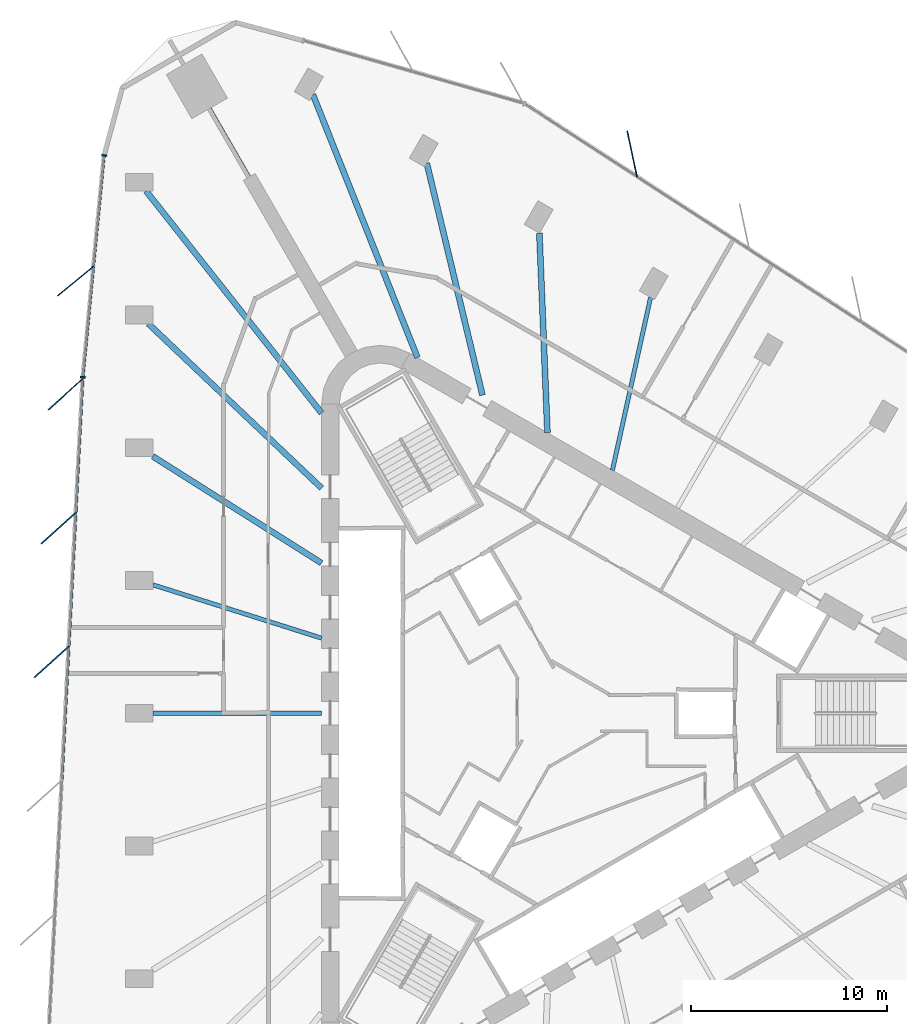
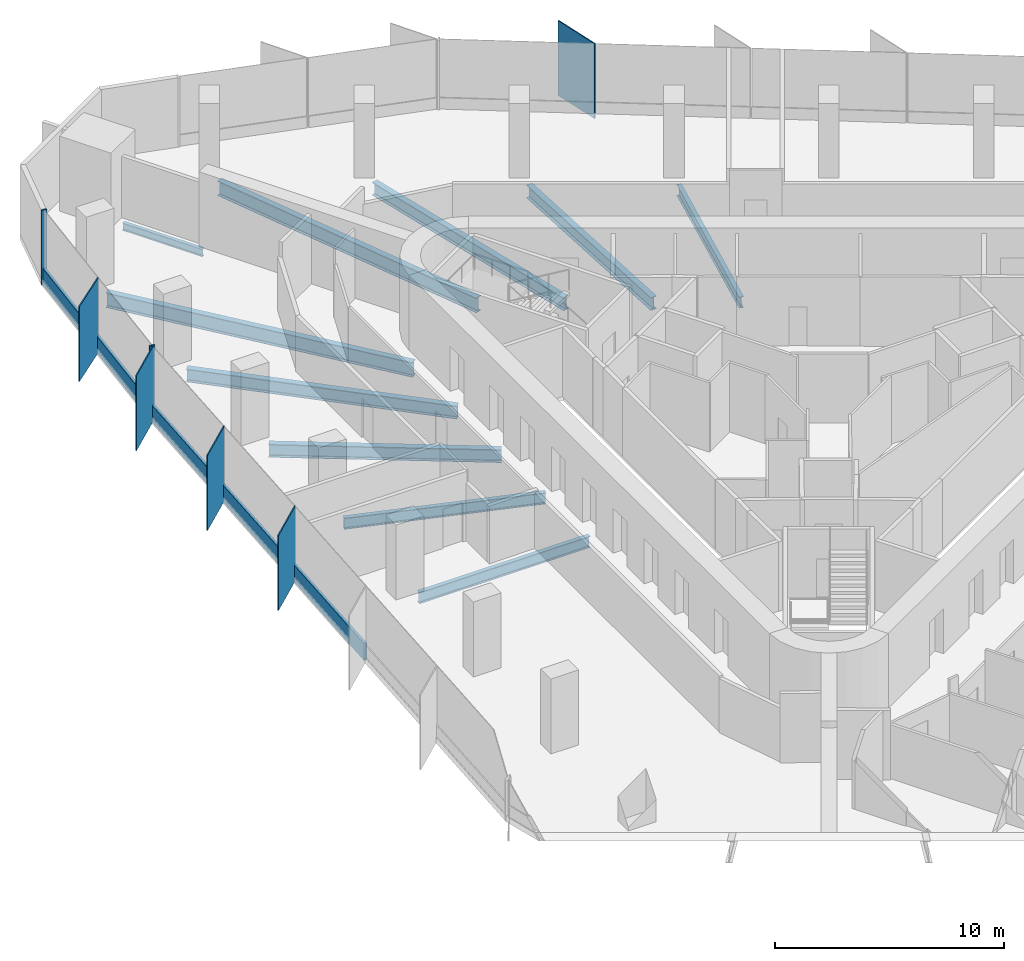
# One storey, part 4 of 14: 12 members, 10 beams, 3 elements without a shape of their own.
"""IFC4 building model written with IfcOpenShell, lengths in metres."""

from ifc_helpers import new_model, si_unit, direction, frame, origin, origin_2d, place, context, subcontext, project, spatial, rectangle, i_section, extrude, material, material_profile, profile_set, type_object, element, aggregate, save


model = new_model("IFC4")

# Units and contexts
model_context = context("Model", 3, precision=1e-05, world=origin(), true_north=direction((0.0, 1.0)))
body_context = subcontext(model_context, "Body", "Model", "MODEL_VIEW")
ifc_project = project(units=[si_unit("LENGTHUNIT", "METRE"), si_unit("AREAUNIT", "SQUARE_METRE"), si_unit("VOLUMEUNIT", "CUBIC_METRE"), si_unit("PLANEANGLEUNIT", "RADIAN"), si_unit("MASSUNIT", "GRAM", prefix="KILO")], contexts=[model_context])

# Site, building, storey
site_placement = place(None, origin())
site = spatial("IfcSite", under=ifc_project, at=site_placement, CompositionType="ELEMENT")
building_placement = place(site_placement, origin())
building = spatial("IfcBuilding", under=site, at=building_placement, Name="Tanit Gate Tower", CompositionType="ELEMENT")
storey_placement = place(building_placement, frame((0.0, 0.0, 257.199951171875)))
storey = spatial("IfcBuildingStorey", under=building, at=storey_placement, Name="L58", CompositionType="ELEMENT", Elevation=257.199951171875)

# Curtain wall, member
ifc_material_1 = material(Name="Aluminium bronze anodised and glass", Category="aluminium")
curtain_wall_type = type_object("IfcCurtainWallType", Name="Curtain wall typical mid", PredefinedType="NOTDEFINED", material=ifc_material_1)
curtain_wall_1_placement = place(storey_placement, origin())
curtain_wall_1 = element("IfcCurtainWall", 1, at=curtain_wall_1_placement, inside=storey, type_object=curtain_wall_type, Name="Curtain wall L58 NE2", PredefinedType="NOTDEFINED")
ifc_material_2 = material(Name="Aluminium bronze anodised", Category="aluminium")
ifc_material_profile_1 = material_profile(ifc_material_2, rectangle(XDim=2.39990234375, YDim=0.055908203125, at=origin_2d()), Name="56x2400 bronze fin mullion")
ifc_profile_set_1 = profile_set([ifc_material_profile_1], Name="Aluminium bronze anodised")
member_type_1 = type_object("IfcMemberType", Name="FIN MULLION 56x2400 bronze", PredefinedType="MULLION", material=ifc_profile_set_1)
member_1_placement = place(storey_placement, frame((3.74072265625, 28.524658203125, -0.300048828125), z_axis=(0.0, 0.0, 1.0), x_axis=(0.208373118697, -0.978049407445, 0.0)))
member_1 = element("IfcMember", 2, at=member_1_placement, type_object=member_type_1, Name="Fin mullion L58 NE2.5", PredefinedType="MULLION", context=body_context, shape_type="SweptSolid", body=[
    extrude(rectangle(XDim=2.39990234375, YDim=0.055908203125, at=origin_2d()), origin(), (0.0, 0.0, 1.0), 4.0),
])
aggregate(curtain_wall_1, [member_1])

curtain_wall_2_placement = place(storey_placement, origin())
curtain_wall_2 = element("IfcCurtainWall", 3, at=curtain_wall_2_placement, inside=storey, type_object=curtain_wall_type, Name="Curtain wall L58 W1", PredefinedType="NOTDEFINED")
member_2_placement = place(storey_placement, frame((-24.642578125, 22.0458984375, -0.300048828125), z_axis=(0.0, 0.0, 1.0), x_axis=(0.771200304617, 0.636592562129, 0.0)))
member_2 = element("IfcMember", 4, at=member_2_placement, type_object=member_type_1, Name="Fin mullion L58 W1.2", PredefinedType="MULLION", context=body_context, shape_type="SweptSolid", body=[
    extrude(rectangle(XDim=2.39990234375, YDim=0.055908203125, at=origin_2d()), origin(), (0.0, 0.0, 1.0), 4.0),
])

# Curtain wall, members
curtain_wall_3_placement = place(storey_placement, origin())
curtain_wall_3 = element("IfcCurtainWall", 5, at=curtain_wall_3_placement, inside=storey, type_object=curtain_wall_type, Name="Curtain wall L58 W2", PredefinedType="NOTDEFINED")
member_3_placement = place(storey_placement, frame((-25.156005859375, 16.2705078125, -0.300048828125), z_axis=(0.0, 0.0, 1.0), x_axis=(0.742829073656, 0.66948111798, 0.0)))
member_3 = element("IfcMember", 6, at=member_3_placement, type_object=member_type_1, Name="Fin mullion L58 W2.1", PredefinedType="MULLION", context=body_context, shape_type="SweptSolid", body=[
    extrude(rectangle(XDim=2.39990234375, YDim=0.055908203125, at=origin_2d()), origin(), (0.0, 0.0, 1.0), 4.0),
])
member_4_placement = place(storey_placement, frame((-25.51025390625, 9.447265625, -0.300048828125), z_axis=(0.0, 0.0, 1.0), x_axis=(0.742829073656, 0.66948111798, 0.0)))
member_4 = element("IfcMember", 7, at=member_4_placement, type_object=member_type_1, Name="Fin mullion L58 W2.2", PredefinedType="MULLION", context=body_context, shape_type="SweptSolid", body=[
    extrude(rectangle(XDim=2.39990234375, YDim=0.055908203125, at=origin_2d()), origin(), (0.0, 0.0, 1.0), 4.0),
])
member_5_placement = place(storey_placement, frame((-25.86474609375, 2.6240234375, -0.300048828125), z_axis=(0.0, 0.0, 1.0), x_axis=(0.742829073656, 0.66948111798, 0.0)))
member_5 = element("IfcMember", 8, at=member_5_placement, type_object=member_type_1, Name="Fin mullion L58 W2.3", PredefinedType="MULLION", context=body_context, shape_type="SweptSolid", body=[
    extrude(rectangle(XDim=2.39990234375, YDim=0.055908203125, at=origin_2d()), origin(), (0.0, 0.0, 1.0), 4.0),
])

# Member
ifc_material_3 = material(Name="Aluminium bronze anodised", Category="aluminium")
ifc_material_profile_2 = material_profile(ifc_material_3, rectangle(XDim=0.260009765625, YDim=0.080078125, at=origin_2d()), Name="80x260 bronze mullion")
ifc_profile_set_2 = profile_set([ifc_material_profile_2], Name="Aluminium bronze anodised")
member_type_2 = type_object("IfcMemberType", Name="Mullion 80x260 typical mid", PredefinedType="MULLION", material=ifc_profile_set_2)
member_6_placement = place(storey_placement, frame((-23.192626953125, 28.452880859375, -0.300048828125), z_axis=(0.0, 0.0, 1.0), x_axis=(0.995459882582, -0.095182047514, 0.0)))
member_6 = element("IfcMember", 9, at=member_6_placement, type_object=member_type_2, Name="Mullion L58 W1.1", PredefinedType="MULLION", context=body_context, shape_type="SweptSolid", body=[
    extrude(rectangle(XDim=0.260009765625, YDim=0.080078125, at=origin_2d()), origin(), (0.0, 0.0, 1.0), 4.0),
])

member_7_placement = place(storey_placement, frame((-24.2744140625, 17.139404296875, -0.300048828125), z_axis=(0.0, 0.0, 1.0), x_axis=(0.995459882582, -0.095182047514, 0.0)))
member_7 = element("IfcMember", 10, at=member_7_placement, type_object=member_type_2, Name="Mullion L58 W1.3", PredefinedType="MULLION", context=body_context, shape_type="SweptSolid", body=[
    extrude(rectangle(XDim=0.260009765625, YDim=0.080078125, at=origin_2d()), origin(), (0.0, 0.0, 1.0), 4.0),
])

# Beams
ifc_material_4 = material(Name="Steel S355", Category="steel")
ifc_material_profile_3 = material_profile(ifc_material_4, i_section(OverallWidth=0.300048828125, OverallDepth=0.68994140625, WebThickness=0.014404296875, FlangeThickness=0.027099609375, FilletRadius=0.027099609375, at=origin_2d()), Name="HEA 700")
ifc_profile_set_3 = profile_set([ifc_material_profile_3], Name="Steel S355")
beam_type_1 = type_object("IfcBeamType", Name="RADIAL GIRDER HEA 700 S355", PredefinedType="BEAM", material=ifc_profile_set_3)
beam_1_placement = place(storey_placement, frame((-0.990478515625, 24.482666015625, -0.64501953125), z_axis=(0.040423811094, -0.999182623696, 0.0), x_axis=(0.999182623696, 0.040423811094, 0.0)))
element("IfcBeam", 11, at=beam_1_placement, inside=storey, type_object=beam_type_1, Name="RADIAL GIRDER", PredefinedType="BEAM", context=body_context, shape_type="SweptSolid", body=[
    extrude(i_section(OverallWidth=0.300048828125, OverallDepth=0.68994140625, WebThickness=0.014404296875, FlangeThickness=0.027099609375, FilletRadius=0.027099609375, at=origin_2d()), origin(), (0.0, 0.0, 1.0), 10.1826171875),
])
for number, where, z_axis, x_axis, name in (
    (12, (-6.7353515625, 28.06005859375, -0.64501953125), (0.233413152093, -0.972377653194, 0.0), (0.972377653194, 0.233413152093, 0.0), "RADIAL GIRDER"),
    (13, (-20.93310546875, 19.86279296875, -0.64501953125), (0.725413886333, -0.688312932841, 0.0), (0.688312932841, 0.725413886333, 0.0), "RADIAL GIRDER"),
):
    element("IfcBeam", number, at=place(storey_placement, frame(where, z_axis=z_axis, x_axis=x_axis)), inside=storey, type_object=beam_type_1, Name=name, PredefinedType="BEAM", context=body_context, shape_type="SweptSolid", body=[
        extrude(i_section(OverallWidth=0.300048828125, OverallDepth=0.68994140625, WebThickness=0.014404296875, FlangeThickness=0.027099609375, FilletRadius=0.027099609375, at=origin_2d()), origin(), (0.0, 0.0, 1.0), 12.173828125),
    ])
beam_2_placement = place(storey_placement, frame((-20.707275390625, 13.09912109375, -0.64501953125), z_axis=(0.845101827665, -0.534605369293, 0.0), x_axis=(0.534605369293, 0.845101827665, 0.0)))
element("IfcBeam", 14, at=beam_2_placement, inside=storey, type_object=beam_type_1, Name="RADIAL GIRDER", PredefinedType="BEAM", context=body_context, shape_type="SweptSolid", body=[
    extrude(i_section(OverallWidth=0.300048828125, OverallDepth=0.68994140625, WebThickness=0.014404296875, FlangeThickness=0.027099609375, FilletRadius=0.027099609375, at=origin_2d()), origin(), (0.0, 0.0, 1.0), 10.182373046875),
])
ifc_material_5 = material(Name="Steel S355", Category="steel")
ifc_material_profile_4 = material_profile(ifc_material_5, i_section(OverallWidth=0.300048828125, OverallDepth=0.7900390625, WebThickness=0.014892578125, FlangeThickness=0.028076171875, FilletRadius=0.030029296875, at=origin_2d()), Name="HEA 800")
ifc_profile_set_4 = profile_set([ifc_material_profile_4], Name="Steel S355")
beam_type_2 = type_object("IfcBeamType", Name="RADIAL GIRDER HEA 800 S355", PredefinedType="BEAM", material=ifc_profile_set_4)
beam_3_placement = place(storey_placement, frame((-12.539794921875, 31.54833984375, -0.695068359375), z_axis=(0.369365772783, -0.929284093212, 0.0), x_axis=(0.929284093212, 0.369365772783, 0.0)))
element("IfcBeam", 15, at=beam_3_placement, inside=storey, type_object=beam_type_2, Name="RADIAL GIRDER", PredefinedType="BEAM", context=body_context, shape_type="SweptSolid", body=[
    extrude(i_section(OverallWidth=0.300048828125, OverallDepth=0.7900390625, WebThickness=0.014892578125, FlangeThickness=0.028076171875, FilletRadius=0.030029296875, at=origin_2d()), origin(), (0.0, 0.0, 1.0), 14.43310546875),
])
beam_4_placement = place(storey_placement, frame((-21.051513671875, 26.6337890625, -0.695068359375), z_axis=(0.6200900957, -0.784530606933, 0.0), x_axis=(0.784530606933, 0.6200900957, 0.0)))
element("IfcBeam", 16, at=beam_4_placement, inside=storey, type_object=beam_type_2, Name="RADIAL GIRDER", PredefinedType="BEAM", context=body_context, shape_type="SweptSolid", body=[
    extrude(i_section(OverallWidth=0.300048828125, OverallDepth=0.7900390625, WebThickness=0.014892578125, FlangeThickness=0.028076171875, FilletRadius=0.030029296875, at=origin_2d()), origin(), (0.0, 0.0, 1.0), 14.4326171875),
])
ifc_material_6 = material(Name="Steel S355", Category="steel")
ifc_material_profile_5 = material_profile(ifc_material_6, i_section(OverallWidth=0.179931640625, OverallDepth=0.39990234375, WebThickness=0.008544921875, FlangeThickness=0.013427734375, FilletRadius=0.02099609375, at=origin_2d()), Name="IPE 400")
ifc_profile_set_5 = profile_set([ifc_material_profile_5], Name="Steel S355")
beam_type_3 = type_object("IfcBeamType", Name="RADIAL GIRDER IPE 400 S355", PredefinedType="BEAM", material=ifc_profile_set_5)
beam_5_placement = place(storey_placement, frame((-17.81005859375, 30.847900390625, -0.5), z_axis=(0.500008591458, -0.866020443447, 0.0), x_axis=(0.866020443447, 0.500008591458, 0.0)))
element("IfcBeam", 17, at=beam_5_placement, inside=storey, type_object=beam_type_3, Name="RADIAL GIRDER", PredefinedType="BEAM", context=body_context, shape_type="SweptSolid", body=[
    extrude(i_section(OverallWidth=0.179931640625, OverallDepth=0.39990234375, WebThickness=0.008544921875, FlangeThickness=0.013427734375, FilletRadius=0.02099609375, at=origin_2d()), origin(), (0.0, 0.0, 1.0), 4.03759765625),
])
ifc_material_7 = material(Name="Steel S355", Category="steel")
ifc_material_profile_6 = material_profile(ifc_material_7, i_section(OverallWidth=0.219970703125, OverallDepth=0.60009765625, WebThickness=0.011962890625, FlangeThickness=0.01904296875, FilletRadius=0.02392578125, at=origin_2d()), Name="IPE 600")
ifc_profile_set_6 = profile_set([ifc_material_profile_6], Name="Steel S355")
beam_type_4 = type_object("IfcBeamType", Name="RADIAL GIRDER IPE 600 S355", PredefinedType="BEAM", material=ifc_profile_set_6)
beam_6_placement = place(storey_placement, frame((4.681396484375, 21.2080078125, -0.599853515625), z_axis=(-0.215532558001, -0.976496654598, 0.0), x_axis=(0.976496654598, -0.215532558001, 0.0)))
element("IfcBeam", 18, at=beam_6_placement, inside=storey, type_object=beam_type_4, Name="RADIAL GIRDER", PredefinedType="BEAM", context=body_context, shape_type="SweptSolid", body=[
    extrude(i_section(OverallWidth=0.219970703125, OverallDepth=0.60009765625, WebThickness=0.011962890625, FlangeThickness=0.01904296875, FilletRadius=0.02392578125, at=origin_2d()), origin(), (0.0, 0.0, 1.0), 9.025634765625),
])
beam_7_placement = place(storey_placement, frame((-20.707275390625, 6.549560546875, -0.599853515625), z_axis=(0.953447657806, -0.301558557869, 0.0), x_axis=(0.301558557869, 0.953447657806, 0.0)))
element("IfcBeam", 19, at=beam_7_placement, inside=storey, type_object=beam_type_4, Name="RADIAL GIRDER", PredefinedType="BEAM", context=body_context, shape_type="SweptSolid", body=[
    extrude(i_section(OverallWidth=0.219970703125, OverallDepth=0.60009765625, WebThickness=0.011962890625, FlangeThickness=0.01904296875, FilletRadius=0.02392578125, at=origin_2d()), origin(), (0.0, 0.0, 1.0), 9.025390625),
])
beam_8_placement = place(storey_placement, frame((-20.707275390625, 0.0, -0.599853515625), z_axis=(1.0, 0.0, 0.0), x_axis=(0.0, 1.0, 0.0)))
element("IfcBeam", 20, at=beam_8_placement, inside=storey, type_object=beam_type_4, Name="RADIAL GIRDER", PredefinedType="BEAM", context=body_context, shape_type="SweptSolid", body=[
    extrude(i_section(OverallWidth=0.219970703125, OverallDepth=0.60009765625, WebThickness=0.011962890625, FlangeThickness=0.01904296875, FilletRadius=0.02392578125, at=origin_2d()), origin(), (0.0, 0.0, 1.0), 8.605224609375),
])

# Member
ifc_material_8 = material(Name="Aluminium bronze anodised", Category="aluminium")
ifc_material_profile_7 = material_profile(ifc_material_8, rectangle(XDim=0.139892578125, YDim=0.89990234375, at=origin_2d()), Name="140x900 bronze transom")
ifc_profile_set_7 = profile_set([ifc_material_profile_7], Name="Aluminium bronze anodised")
member_type_3 = type_object("IfcMemberType", Name="Transom 140x900 typical mid", PredefinedType="USERDEFINED", material=ifc_profile_set_7)
member_8_placement = place(storey_placement, frame((-23.196533203125, 28.4130859375, 0.150146484375), z_axis=(-0.095175144466, -0.995460542601, 0.0), x_axis=(0.995460542601, -0.095175144466, 0.0)))
member_8 = element("IfcMember", 21, at=member_8_placement, type_object=member_type_3, Name="Transom L58 W1.1", ObjectType="TRANSOM", PredefinedType="USERDEFINED", context=body_context, shape_type="SweptSolid", body=[
    extrude(rectangle(XDim=0.139892578125, YDim=0.89990234375, at=origin_2d()), origin(), (0.0, 0.0, 1.0), 5.602294921875),
])

member_9_placement = place(storey_placement, frame((-23.7373046875, 22.75634765625, 0.150146484375), z_axis=(-0.095171015895, -0.995460937322, 0.0), x_axis=(0.995460937322, -0.095171015895, 0.0)))
member_9 = element("IfcMember", 22, at=member_9_placement, type_object=member_type_3, Name="Transom L58 W1.2", ObjectType="TRANSOM", PredefinedType="USERDEFINED", context=body_context, shape_type="SweptSolid", body=[
    extrude(rectangle(XDim=0.139892578125, YDim=0.89990234375, at=origin_2d()), origin(), (0.0, 0.0, 1.0), 5.6025390625),
])

aggregate(curtain_wall_2, [member_6, member_2, member_7, member_8, member_9])

member_10_placement = place(storey_placement, frame((-24.282470703125, 17.019775390625, 0.150146484375), z_axis=(-0.051847192816, -0.998655029826, 0.0), x_axis=(0.998655029826, -0.051847192816, 0.0)))
member_10 = element("IfcMember", 23, at=member_10_placement, type_object=member_type_3, Name="Transom L58 W2.1", ObjectType="TRANSOM", PredefinedType="USERDEFINED", context=body_context, shape_type="SweptSolid", body=[
    extrude(rectangle(XDim=0.139892578125, YDim=0.89990234375, at=origin_2d()), origin(), (0.0, 0.0, 1.0), 6.75244140625),
])

member_11_placement = place(storey_placement, frame((-24.63671875, 10.196533203125, 0.150146484375), z_axis=(-0.051883251167, -0.998653157131, 0.0), x_axis=(0.998653157131, -0.051883251167, 0.0)))
member_11 = element("IfcMember", 24, at=member_11_placement, type_object=member_type_3, Name="Transom L58 W2.2", ObjectType="TRANSOM", PredefinedType="USERDEFINED", context=body_context, shape_type="SweptSolid", body=[
    extrude(rectangle(XDim=0.139892578125, YDim=0.89990234375, at=origin_2d()), origin(), (0.0, 0.0, 1.0), 6.75244140625),
])

member_12_placement = place(storey_placement, frame((-24.9912109375, 3.373291015625, 0.150146484375), z_axis=(-0.051847192816, -0.998655029826, 0.0), x_axis=(0.998655029826, -0.051847192816, 0.0)))
member_12 = element("IfcMember", 25, at=member_12_placement, type_object=member_type_3, Name="Transom L58 W2.3", ObjectType="TRANSOM", PredefinedType="USERDEFINED", context=body_context, shape_type="SweptSolid", body=[
    extrude(rectangle(XDim=0.139892578125, YDim=0.89990234375, at=origin_2d()), origin(), (0.0, 0.0, 1.0), 6.75244140625),
])

aggregate(curtain_wall_3, [member_3, member_4, member_5, member_10, member_11, member_12])

save(model, "model.ifc")
